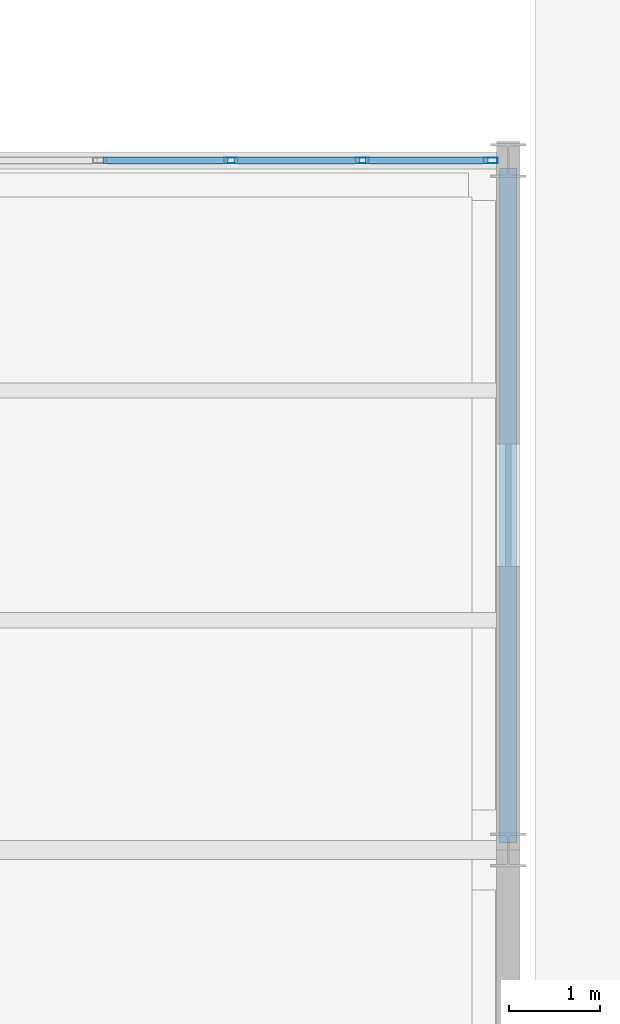
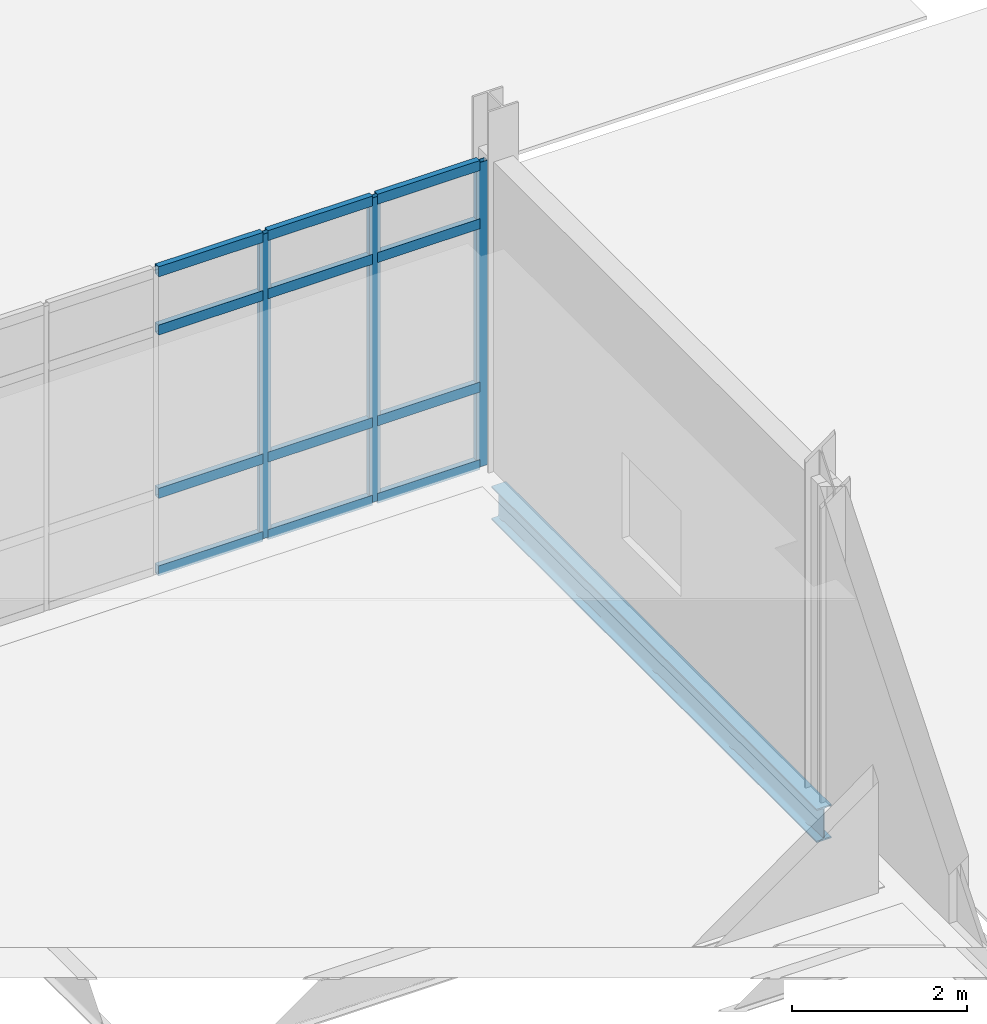
# One storey, part 61 of 161: 15 members, 1 beam, 1 element without a shape of its own.
"""IFC4 building model written with IfcOpenShell, lengths in metres."""

from ifc_helpers import new_model, si_unit, direction, frame, origin, origin_2d, place, context, subcontext, project, spatial, hollow_rectangle, i_section, extrude, material, material_profile, profile_set, type_object, element, aggregate, save


model = new_model("IFC4")

# Units and contexts
model_context = context("Model", 3, precision=1e-05, world=origin(), true_north=direction((0.0, 1.0)))
body_context = subcontext(model_context, "Body", "Model", "MODEL_VIEW")
ifc_project = project(units=[si_unit("LENGTHUNIT", "METRE"), si_unit("AREAUNIT", "SQUARE_METRE"), si_unit("VOLUMEUNIT", "CUBIC_METRE"), si_unit("PLANEANGLEUNIT", "RADIAN"), si_unit("MASSUNIT", "GRAM", prefix="KILO")], contexts=[model_context])

# Site, building, storey
site_placement = place(None, origin())
site = spatial("IfcSite", under=ifc_project, at=site_placement, CompositionType="ELEMENT")
building_placement = place(site_placement, origin())
building = spatial("IfcBuilding", under=site, at=building_placement, Name="Caisbarro Railhouse Central Library", CompositionType="ELEMENT")
storey_placement = place(building_placement, origin())
storey = spatial("IfcBuildingStorey", under=building, at=storey_placement, Name="L00", CompositionType="ELEMENT", Elevation=0.0)

# Beam
ifc_material_1 = material(Name="Steel ASTM A572 Grade 50", Category="steel")
ifc_material_profile_1 = material_profile(ifc_material_1, i_section(OverallWidth=0.194091796875, OverallDepth=0.468994140625, WebThickness=0.0126953125, FlangeThickness=0.0205078125, FilletRadius=0.01806640625, at=origin_2d()), Name="W460X106.0")
ifc_profile_set_1 = profile_set([ifc_material_profile_1], Name="Steel ASTM A572 Grade 50")
beam_type = type_object("IfcBeamType", Name="BM-G07", PredefinedType="BEAM", material=ifc_profile_set_1)
beam_placement = place(storey_placement, frame((108.0, 22.8798828125, -0.514404296875), z_axis=(0.0, 1.0, 0.0), x_axis=(-1.0, 0.0, 0.0)))
element("IfcBeam", 1, at=beam_placement, inside=storey, type_object=beam_type, Name="G07 beam L00 #204", PredefinedType="BEAM", context=body_context, shape_type="SweptSolid", body=[
    extrude(i_section(OverallWidth=0.194091796875, OverallDepth=0.468994140625, WebThickness=0.0126953125, FlangeThickness=0.0205078125, FilletRadius=0.01806640625, at=origin_2d()), origin(), (0.0, 0.0, 1.0), 7.440185546875),
])

# Curtain wall, members
ifc_material_2 = material(Name="Anodised architectural aluminium", Category="aluminium")
curtain_wall_type = type_object("IfcCurtainWallType", Name="CW-CW02", PredefinedType="NOTDEFINED", material=ifc_material_2)
curtain_wall_placement = place(storey_placement, origin())
curtain_wall = element("IfcCurtainWall", 2, at=curtain_wall_placement, inside=storey, type_object=curtain_wall_type, Name="CW02 curtain wall L00 #53", PredefinedType="NOTDEFINED")
ifc_material_profile_2 = material_profile(ifc_material_2, hollow_rectangle(XDim=0.06494140625, YDim=0.14990234375, WallThickness=0.00390625, at=origin_2d()), Name="ALU-MUL-65X150")
ifc_profile_set_2 = profile_set([ifc_material_profile_2], Name="Anodised architectural aluminium")
member_type_1 = type_object("IfcMemberType", Name="CWM-M02", PredefinedType="MULLION", material=ifc_profile_set_2)
member_1_placement = place(storey_placement, frame((104.94677734375, 30.39990234375, 0.0), z_axis=(0.0, 0.0, 1.0), x_axis=(0.0, 1.0, 0.0)))
member_1 = element("IfcMember", 3, at=member_1_placement, type_object=member_type_1, Name="CW02 mullion 5", PredefinedType="MULLION", context=body_context, shape_type="SweptSolid", body=[
    extrude(hollow_rectangle(XDim=0.06494140625, YDim=0.14990234375, WallThickness=0.00390625, at=origin_2d()), origin(), (0.0, 0.0, 1.0), 4.25),
])
member_2_placement = place(storey_placement, frame((106.393310546875, 30.39990234375, 0.0), z_axis=(0.0, 0.0, 1.0), x_axis=(0.0, 1.0, 0.0)))
member_2 = element("IfcMember", 4, at=member_2_placement, type_object=member_type_1, Name="CW02 mullion 6", PredefinedType="MULLION", context=body_context, shape_type="SweptSolid", body=[
    extrude(hollow_rectangle(XDim=0.06494140625, YDim=0.14990234375, WallThickness=0.00390625, at=origin_2d()), origin(), (0.0, 0.0, 1.0), 4.25),
])
member_3_placement = place(storey_placement, frame((107.8076171875, 30.39990234375, 0.0), z_axis=(0.0, 0.0, 1.0), x_axis=(0.0, 1.0, 0.0)))
member_3 = element("IfcMember", 5, at=member_3_placement, type_object=member_type_1, Name="CW02 mullion 7", PredefinedType="MULLION", context=body_context, shape_type="SweptSolid", body=[
    extrude(hollow_rectangle(XDim=0.06494140625, YDim=0.14990234375, WallThickness=0.00390625, at=origin_2d()), origin(), (0.0, 0.0, 1.0), 4.25),
])
ifc_material_profile_3 = material_profile(ifc_material_2, hollow_rectangle(XDim=0.074951171875, YDim=0.139892578125, WallThickness=0.00390625, at=origin_2d()), Name="ALU-TRN-75X140")
ifc_profile_set_3 = profile_set([ifc_material_profile_3], Name="Anodised architectural aluminium")
member_type_2 = type_object("IfcMemberType", Name="CWT-T01", PredefinedType="USERDEFINED", material=ifc_profile_set_3)
member_4_placement = place(storey_placement, frame((103.532470703125, 30.39990234375, 0.03759765625), z_axis=(1.0, 0.0, 0.0), x_axis=(0.0, 1.0, 0.0)))
member_4 = element("IfcMember", 6, at=member_4_placement, type_object=member_type_2, Name="CW02 transom 4.1", ObjectType="TRANSOM", PredefinedType="USERDEFINED", context=body_context, shape_type="SweptSolid", body=[
    extrude(hollow_rectangle(XDim=0.074951171875, YDim=0.139892578125, WallThickness=0.00390625, at=origin_2d()), origin(), (0.0, 0.0, 1.0), 1.381591796875),
])
member_5_placement = place(storey_placement, frame((103.532470703125, 30.39990234375, 1.1201171875), z_axis=(1.0, 0.0, 0.0), x_axis=(0.0, 1.0, 0.0)))
member_5 = element("IfcMember", 7, at=member_5_placement, type_object=member_type_2, Name="CW02 transom 4.2", ObjectType="TRANSOM", PredefinedType="USERDEFINED", context=body_context, shape_type="SweptSolid", body=[
    extrude(hollow_rectangle(XDim=0.074951171875, YDim=0.139892578125, WallThickness=0.00390625, at=origin_2d()), origin(), (0.0, 0.0, 1.0), 1.381591796875),
])
member_6_placement = place(storey_placement, frame((103.532470703125, 30.39990234375, 3.39990234375), z_axis=(1.0, 0.0, 0.0), x_axis=(0.0, 1.0, 0.0)))
member_6 = element("IfcMember", 8, at=member_6_placement, type_object=member_type_2, Name="CW02 transom 4.3", ObjectType="TRANSOM", PredefinedType="USERDEFINED", context=body_context, shape_type="SweptSolid", body=[
    extrude(hollow_rectangle(XDim=0.074951171875, YDim=0.139892578125, WallThickness=0.00390625, at=origin_2d()), origin(), (0.0, 0.0, 1.0), 1.381591796875),
])
member_7_placement = place(storey_placement, frame((103.532470703125, 30.39990234375, 4.21240234375), z_axis=(1.0, 0.0, 0.0), x_axis=(0.0, 1.0, 0.0)))
member_7 = element("IfcMember", 9, at=member_7_placement, type_object=member_type_2, Name="CW02 transom 4.4", ObjectType="TRANSOM", PredefinedType="USERDEFINED", context=body_context, shape_type="SweptSolid", body=[
    extrude(hollow_rectangle(XDim=0.074951171875, YDim=0.139892578125, WallThickness=0.00390625, at=origin_2d()), origin(), (0.0, 0.0, 1.0), 1.381591796875),
])
member_8_placement = place(storey_placement, frame((104.979248046875, 30.39990234375, 0.03759765625), z_axis=(1.0, 0.0, 0.0), x_axis=(0.0, 1.0, 0.0)))
member_8 = element("IfcMember", 10, at=member_8_placement, type_object=member_type_2, Name="CW02 transom 5.1", ObjectType="TRANSOM", PredefinedType="USERDEFINED", context=body_context, shape_type="SweptSolid", body=[
    extrude(hollow_rectangle(XDim=0.074951171875, YDim=0.139892578125, WallThickness=0.00390625, at=origin_2d()), origin(), (0.0, 0.0, 1.0), 1.381591796875),
])
member_9_placement = place(storey_placement, frame((104.979248046875, 30.39990234375, 1.1201171875), z_axis=(1.0, 0.0, 0.0), x_axis=(0.0, 1.0, 0.0)))
member_9 = element("IfcMember", 11, at=member_9_placement, type_object=member_type_2, Name="CW02 transom 5.2", ObjectType="TRANSOM", PredefinedType="USERDEFINED", context=body_context, shape_type="SweptSolid", body=[
    extrude(hollow_rectangle(XDim=0.074951171875, YDim=0.139892578125, WallThickness=0.00390625, at=origin_2d()), origin(), (0.0, 0.0, 1.0), 1.381591796875),
])
member_10_placement = place(storey_placement, frame((104.979248046875, 30.39990234375, 3.39990234375), z_axis=(1.0, 0.0, 0.0), x_axis=(0.0, 1.0, 0.0)))
member_10 = element("IfcMember", 12, at=member_10_placement, type_object=member_type_2, Name="CW02 transom 5.3", ObjectType="TRANSOM", PredefinedType="USERDEFINED", context=body_context, shape_type="SweptSolid", body=[
    extrude(hollow_rectangle(XDim=0.074951171875, YDim=0.139892578125, WallThickness=0.00390625, at=origin_2d()), origin(), (0.0, 0.0, 1.0), 1.381591796875),
])
member_11_placement = place(storey_placement, frame((104.979248046875, 30.39990234375, 4.21240234375), z_axis=(1.0, 0.0, 0.0), x_axis=(0.0, 1.0, 0.0)))
member_11 = element("IfcMember", 13, at=member_11_placement, type_object=member_type_2, Name="CW02 transom 5.4", ObjectType="TRANSOM", PredefinedType="USERDEFINED", context=body_context, shape_type="SweptSolid", body=[
    extrude(hollow_rectangle(XDim=0.074951171875, YDim=0.139892578125, WallThickness=0.00390625, at=origin_2d()), origin(), (0.0, 0.0, 1.0), 1.381591796875),
])
member_12_placement = place(storey_placement, frame((106.42578125, 30.39990234375, 0.03759765625), z_axis=(1.0, 0.0, 0.0), x_axis=(0.0, 1.0, 0.0)))
member_12 = element("IfcMember", 14, at=member_12_placement, type_object=member_type_2, Name="CW02 transom 6.1", ObjectType="TRANSOM", PredefinedType="USERDEFINED", context=body_context, shape_type="SweptSolid", body=[
    extrude(hollow_rectangle(XDim=0.074951171875, YDim=0.139892578125, WallThickness=0.00390625, at=origin_2d()), origin(), (0.0, 0.0, 1.0), 1.34912109375),
])
member_13_placement = place(storey_placement, frame((106.42578125, 30.39990234375, 1.1201171875), z_axis=(1.0, 0.0, 0.0), x_axis=(0.0, 1.0, 0.0)))
member_13 = element("IfcMember", 15, at=member_13_placement, type_object=member_type_2, Name="CW02 transom 6.2", ObjectType="TRANSOM", PredefinedType="USERDEFINED", context=body_context, shape_type="SweptSolid", body=[
    extrude(hollow_rectangle(XDim=0.074951171875, YDim=0.139892578125, WallThickness=0.00390625, at=origin_2d()), origin(), (0.0, 0.0, 1.0), 1.34912109375),
])
member_14_placement = place(storey_placement, frame((106.42578125, 30.39990234375, 3.39990234375), z_axis=(1.0, 0.0, 0.0), x_axis=(0.0, 1.0, 0.0)))
member_14 = element("IfcMember", 16, at=member_14_placement, type_object=member_type_2, Name="CW02 transom 6.3", ObjectType="TRANSOM", PredefinedType="USERDEFINED", context=body_context, shape_type="SweptSolid", body=[
    extrude(hollow_rectangle(XDim=0.074951171875, YDim=0.139892578125, WallThickness=0.00390625, at=origin_2d()), origin(), (0.0, 0.0, 1.0), 1.34912109375),
])
member_15_placement = place(storey_placement, frame((106.42578125, 30.39990234375, 4.21240234375), z_axis=(1.0, 0.0, 0.0), x_axis=(0.0, 1.0, 0.0)))
member_15 = element("IfcMember", 17, at=member_15_placement, type_object=member_type_2, Name="CW02 transom 6.4", ObjectType="TRANSOM", PredefinedType="USERDEFINED", context=body_context, shape_type="SweptSolid", body=[
    extrude(hollow_rectangle(XDim=0.074951171875, YDim=0.139892578125, WallThickness=0.00390625, at=origin_2d()), origin(), (0.0, 0.0, 1.0), 1.34912109375),
])
aggregate(curtain_wall, [member_1, member_2, member_3, member_4, member_5, member_6, member_7, member_8, member_9, member_10, member_11, member_12, member_13, member_14, member_15])

save(model, "model.ifc")
